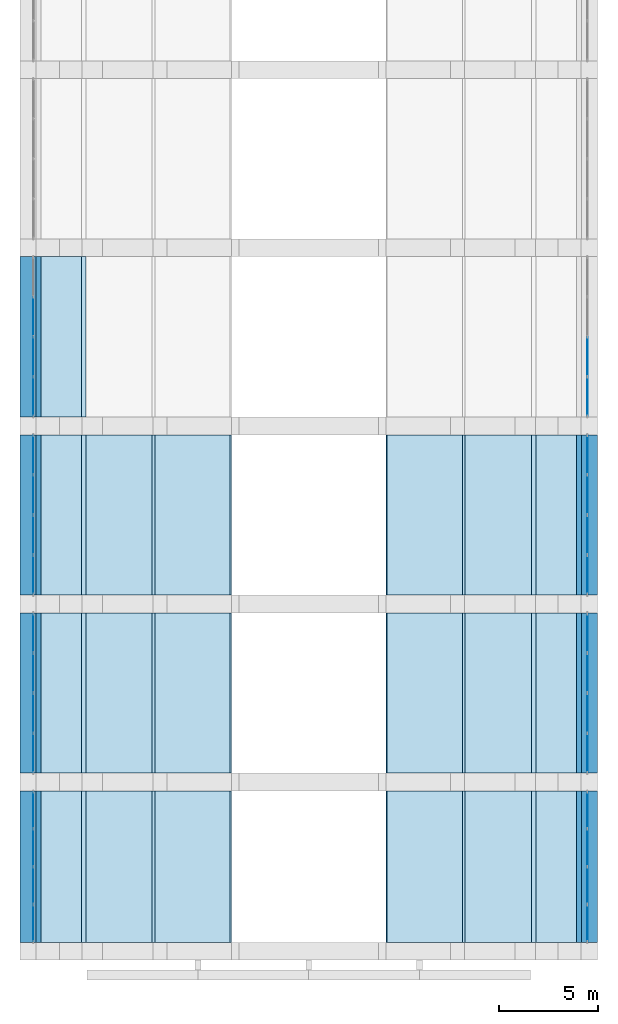
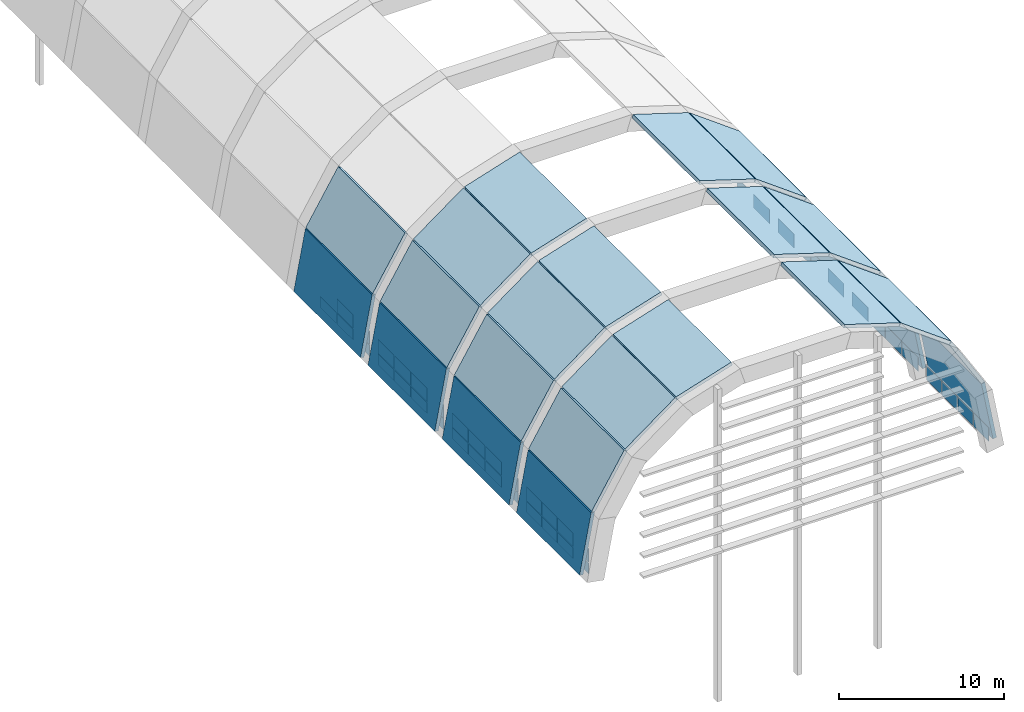
# One storey, part 6 of 8: 43 plates, 26 slabs, 8 elements without a shape of their own.
"""IFC4 building model written with IfcOpenShell, lengths in metres."""

from ifc_helpers import new_model, si_unit, direction, frame, origin, origin_2d, place, context, subcontext, project, spatial, polyline, rectangle, outline, extrude, material, layer, layer_set, type_object, element, aggregate, save


model = new_model("IFC4")

# Units and contexts
model_context = context("Model", 3, precision=1e-05, world=origin(), true_north=direction((0.0, 1.0)))
body_context = subcontext(model_context, "Body", "Model", "MODEL_VIEW")
ifc_project = project(units=[si_unit("LENGTHUNIT", "METRE"), si_unit("AREAUNIT", "SQUARE_METRE"), si_unit("VOLUMEUNIT", "CUBIC_METRE"), si_unit("PLANEANGLEUNIT", "RADIAN"), si_unit("MASSUNIT", "GRAM", prefix="KILO")], contexts=[model_context])

# Site, building, storey
site_placement = place(None, origin())
site = spatial("IfcSite", under=ifc_project, at=site_placement, CompositionType="ELEMENT")
building_placement = place(site_placement, origin())
building = spatial("IfcBuilding", under=site, at=building_placement, Name="Elmora Arch Market Hall", CompositionType="ELEMENT")
storey_placement = place(building_placement, frame((0.0, 0.0, 18.60009765625)))
storey = spatial("IfcBuildingStorey", under=building, at=storey_placement, Name="Roof", CompositionType="ELEMENT", Elevation=18.60009765625)

# Curtain wall, plates
ifc_material_1 = material(Name="Aluminium", Category="aluminium")
curtain_wall_type = type_object("IfcCurtainWallType", Name="Clerestory curtain wall", PredefinedType="NOTDEFINED", material=ifc_material_1)
curtain_wall_1_placement = place(storey_placement, origin())
curtain_wall_1 = element("IfcCurtainWall", 1, at=curtain_wall_1_placement, inside=storey, type_object=curtain_wall_type, Name="Hall clerestory W 1", PredefinedType="NOTDEFINED")
ifc_material_2 = material(Name="Glass", Category="glass")
ifc_layer_1 = layer(ifc_material_2, 0.02392578125)
ifc_layer_set_1 = layer_set([ifc_layer_1], Name="Glass")
plate_type = type_object("IfcPlateType", Name="Glass panel 24", PredefinedType="CURTAIN_PANEL", material=ifc_layer_set_1)
plate_1_placement = place(storey_placement, frame((15.080078125, 28.871337890625, 0.059814453125), z_axis=(0.0, 0.0, 1.0), x_axis=(0.0, 1.0, 0.0)))
plate_1 = element("IfcPlate", 2, at=plate_1_placement, type_object=plate_type, Name="CW4 panel 1.1", PredefinedType="CURTAIN_PANEL", context=body_context, shape_type="SweptSolid", body=[
    extrude(rectangle(XDim=1.822509765625, YDim=0.02392578125, at=origin_2d()), origin(), (0.0, 0.0, 1.0), 0.81005859375),
])
plate_2_placement = place(storey_placement, frame((15.080078125, 28.871337890625, 0.9296875), z_axis=(0.0, 0.0, 1.0), x_axis=(0.0, 1.0, 0.0)))
plate_2 = element("IfcPlate", 3, at=plate_2_placement, type_object=plate_type, Name="CW4 panel 1.2", PredefinedType="CURTAIN_PANEL", context=body_context, shape_type="SweptSolid", body=[
    extrude(rectangle(XDim=1.822509765625, YDim=0.02392578125, at=origin_2d()), origin(), (0.0, 0.0, 1.0), 1.009033203125),
])
plate_3_placement = place(storey_placement, frame((15.080078125, 30.768798828125, 0.059814453125), z_axis=(0.0, 0.0, 1.0), x_axis=(0.0, 1.0, 0.0)))
plate_3 = element("IfcPlate", 4, at=plate_3_placement, type_object=plate_type, Name="CW4 panel 2.1", PredefinedType="CURTAIN_PANEL", context=body_context, shape_type="SweptSolid", body=[
    extrude(rectangle(XDim=1.8525390625, YDim=0.02392578125, at=origin_2d()), origin(), (0.0, 0.0, 1.0), 0.81005859375),
])
plate_4_placement = place(storey_placement, frame((15.080078125, 30.768798828125, 0.9296875), z_axis=(0.0, 0.0, 1.0), x_axis=(0.0, 1.0, 0.0)))
plate_4 = element("IfcPlate", 5, at=plate_4_placement, type_object=plate_type, Name="CW4 panel 2.2", PredefinedType="CURTAIN_PANEL", context=body_context, shape_type="SweptSolid", body=[
    extrude(rectangle(XDim=1.8525390625, YDim=0.02392578125, at=origin_2d()), origin(), (0.0, 0.0, 1.0), 1.009033203125),
])
plate_5_placement = place(storey_placement, frame((15.080078125, 32.68115234375, 0.059814453125), z_axis=(0.0, 0.0, 1.0), x_axis=(0.0, 1.0, 0.0)))
plate_5 = element("IfcPlate", 6, at=plate_5_placement, type_object=plate_type, Name="CW4 panel 3.1", PredefinedType="CURTAIN_PANEL", context=body_context, shape_type="SweptSolid", body=[
    extrude(rectangle(XDim=1.8525390625, YDim=0.02392578125, at=origin_2d()), origin(), (0.0, 0.0, 1.0), 0.81005859375),
])
plate_6_placement = place(storey_placement, frame((15.080078125, 32.68115234375, 0.9296875), z_axis=(0.0, 0.0, 1.0), x_axis=(0.0, 1.0, 0.0)))
plate_6 = element("IfcPlate", 7, at=plate_6_placement, type_object=plate_type, Name="CW4 panel 3.2", PredefinedType="CURTAIN_PANEL", context=body_context, shape_type="SweptSolid", body=[
    extrude(rectangle(XDim=1.8525390625, YDim=0.02392578125, at=origin_2d()), origin(), (0.0, 0.0, 1.0), 1.009033203125),
])
plate_7_placement = place(storey_placement, frame((15.080078125, 34.578857421875, 0.059814453125), z_axis=(0.0, 0.0, 1.0), x_axis=(0.0, 1.0, 0.0)))
plate_7 = element("IfcPlate", 8, at=plate_7_placement, type_object=plate_type, Name="CW4 panel 4.1", PredefinedType="CURTAIN_PANEL", context=body_context, shape_type="SweptSolid", body=[
    extrude(rectangle(XDim=1.822509765625, YDim=0.02392578125, at=origin_2d()), origin(), (0.0, 0.0, 1.0), 0.81005859375),
])
plate_8_placement = place(storey_placement, frame((15.080078125, 34.578857421875, 0.9296875), z_axis=(0.0, 0.0, 1.0), x_axis=(0.0, 1.0, 0.0)))
plate_8 = element("IfcPlate", 9, at=plate_8_placement, type_object=plate_type, Name="CW4 panel 4.2", PredefinedType="CURTAIN_PANEL", context=body_context, shape_type="SweptSolid", body=[
    extrude(rectangle(XDim=1.822509765625, YDim=0.02392578125, at=origin_2d()), origin(), (0.0, 0.0, 1.0), 1.009033203125),
])
aggregate(curtain_wall_1, [plate_1, plate_2, plate_3, plate_4, plate_5, plate_6, plate_7, plate_8])

curtain_wall_2_placement = place(storey_placement, origin())
curtain_wall_2 = element("IfcCurtainWall", 10, at=curtain_wall_2_placement, inside=storey, type_object=curtain_wall_type, Name="Hall clerestory W 2", PredefinedType="NOTDEFINED")
plate_9_placement = place(storey_placement, frame((15.080078125, 37.4775390625, 0.059814453125), z_axis=(0.0, 0.0, 1.0), x_axis=(0.0, 1.0, 0.0)))
plate_9 = element("IfcPlate", 11, at=plate_9_placement, type_object=plate_type, Name="CW4 panel 1.1", PredefinedType="CURTAIN_PANEL", context=body_context, shape_type="SweptSolid", body=[
    extrude(rectangle(XDim=1.93505859375, YDim=0.02392578125, at=origin_2d()), origin(), (0.0, 0.0, 1.0), 0.81005859375),
])
plate_10_placement = place(storey_placement, frame((15.080078125, 37.4775390625, 0.9296875), z_axis=(0.0, 0.0, 1.0), x_axis=(0.0, 1.0, 0.0)))
plate_10 = element("IfcPlate", 12, at=plate_10_placement, type_object=plate_type, Name="CW4 panel 1.2", PredefinedType="CURTAIN_PANEL", context=body_context, shape_type="SweptSolid", body=[
    extrude(rectangle(XDim=1.93505859375, YDim=0.02392578125, at=origin_2d()), origin(), (0.0, 0.0, 1.0), 1.009033203125),
])
plate_11_placement = place(storey_placement, frame((15.080078125, 39.487548828125, 0.059814453125), z_axis=(0.0, 0.0, 1.0), x_axis=(0.0, 1.0, 0.0)))
plate_11 = element("IfcPlate", 13, at=plate_11_placement, type_object=plate_type, Name="CW4 panel 2.1", PredefinedType="CURTAIN_PANEL", context=body_context, shape_type="SweptSolid", body=[
    extrude(rectangle(XDim=1.965087890625, YDim=0.02392578125, at=origin_2d()), origin(), (0.0, 0.0, 1.0), 0.81005859375),
])
plate_12_placement = place(storey_placement, frame((15.080078125, 39.487548828125, 0.9296875), z_axis=(0.0, 0.0, 1.0), x_axis=(0.0, 1.0, 0.0)))
plate_12 = element("IfcPlate", 14, at=plate_12_placement, type_object=plate_type, Name="CW4 panel 2.2", PredefinedType="CURTAIN_PANEL", context=body_context, shape_type="SweptSolid", body=[
    extrude(rectangle(XDim=1.965087890625, YDim=0.02392578125, at=origin_2d()), origin(), (0.0, 0.0, 1.0), 1.009033203125),
])
plate_13_placement = place(storey_placement, frame((15.080078125, 41.512451171875, 0.059814453125), z_axis=(0.0, 0.0, 1.0), x_axis=(0.0, 1.0, 0.0)))
plate_13 = element("IfcPlate", 15, at=plate_13_placement, type_object=plate_type, Name="CW4 panel 3.1", PredefinedType="CURTAIN_PANEL", context=body_context, shape_type="SweptSolid", body=[
    extrude(rectangle(XDim=1.965087890625, YDim=0.02392578125, at=origin_2d()), origin(), (0.0, 0.0, 1.0), 0.81005859375),
])
plate_14_placement = place(storey_placement, frame((15.080078125, 41.512451171875, 0.9296875), z_axis=(0.0, 0.0, 1.0), x_axis=(0.0, 1.0, 0.0)))
plate_14 = element("IfcPlate", 16, at=plate_14_placement, type_object=plate_type, Name="CW4 panel 3.2", PredefinedType="CURTAIN_PANEL", context=body_context, shape_type="SweptSolid", body=[
    extrude(rectangle(XDim=1.965087890625, YDim=0.02392578125, at=origin_2d()), origin(), (0.0, 0.0, 1.0), 1.009033203125),
])
plate_15_placement = place(storey_placement, frame((15.080078125, 43.5224609375, 0.059814453125), z_axis=(0.0, 0.0, 1.0), x_axis=(0.0, 1.0, 0.0)))
plate_15 = element("IfcPlate", 17, at=plate_15_placement, type_object=plate_type, Name="CW4 panel 4.1", PredefinedType="CURTAIN_PANEL", context=body_context, shape_type="SweptSolid", body=[
    extrude(rectangle(XDim=1.93505859375, YDim=0.02392578125, at=origin_2d()), origin(), (0.0, 0.0, 1.0), 0.81005859375),
])
plate_16_placement = place(storey_placement, frame((15.080078125, 43.5224609375, 0.9296875), z_axis=(0.0, 0.0, 1.0), x_axis=(0.0, 1.0, 0.0)))
plate_16 = element("IfcPlate", 18, at=plate_16_placement, type_object=plate_type, Name="CW4 panel 4.2", PredefinedType="CURTAIN_PANEL", context=body_context, shape_type="SweptSolid", body=[
    extrude(rectangle(XDim=1.93505859375, YDim=0.02392578125, at=origin_2d()), origin(), (0.0, 0.0, 1.0), 1.009033203125),
])
aggregate(curtain_wall_2, [plate_9, plate_10, plate_11, plate_12, plate_13, plate_14, plate_15, plate_16])

curtain_wall_3_placement = place(storey_placement, origin())
curtain_wall_3 = element("IfcCurtainWall", 19, at=curtain_wall_3_placement, inside=storey, type_object=curtain_wall_type, Name="Hall clerestory W 3", PredefinedType="NOTDEFINED")
plate_17_placement = place(storey_placement, frame((15.080078125, 46.4775390625, 0.059814453125), z_axis=(0.0, 0.0, 1.0), x_axis=(0.0, 1.0, 0.0)))
plate_17 = element("IfcPlate", 20, at=plate_17_placement, type_object=plate_type, Name="CW4 panel 1.1", PredefinedType="CURTAIN_PANEL", context=body_context, shape_type="SweptSolid", body=[
    extrude(rectangle(XDim=1.93505859375, YDim=0.02392578125, at=origin_2d()), origin(), (0.0, 0.0, 1.0), 0.81005859375),
])
plate_18_placement = place(storey_placement, frame((15.080078125, 46.4775390625, 0.9296875), z_axis=(0.0, 0.0, 1.0), x_axis=(0.0, 1.0, 0.0)))
plate_18 = element("IfcPlate", 21, at=plate_18_placement, type_object=plate_type, Name="CW4 panel 1.2", PredefinedType="CURTAIN_PANEL", context=body_context, shape_type="SweptSolid", body=[
    extrude(rectangle(XDim=1.93505859375, YDim=0.02392578125, at=origin_2d()), origin(), (0.0, 0.0, 1.0), 1.009033203125),
])
plate_19_placement = place(storey_placement, frame((15.080078125, 48.487548828125, 0.059814453125), z_axis=(0.0, 0.0, 1.0), x_axis=(0.0, 1.0, 0.0)))
plate_19 = element("IfcPlate", 22, at=plate_19_placement, type_object=plate_type, Name="CW4 panel 2.1", PredefinedType="CURTAIN_PANEL", context=body_context, shape_type="SweptSolid", body=[
    extrude(rectangle(XDim=1.965087890625, YDim=0.02392578125, at=origin_2d()), origin(), (0.0, 0.0, 1.0), 0.81005859375),
])
plate_20_placement = place(storey_placement, frame((15.080078125, 48.487548828125, 0.9296875), z_axis=(0.0, 0.0, 1.0), x_axis=(0.0, 1.0, 0.0)))
plate_20 = element("IfcPlate", 23, at=plate_20_placement, type_object=plate_type, Name="CW4 panel 2.2", PredefinedType="CURTAIN_PANEL", context=body_context, shape_type="SweptSolid", body=[
    extrude(rectangle(XDim=1.965087890625, YDim=0.02392578125, at=origin_2d()), origin(), (0.0, 0.0, 1.0), 1.009033203125),
])
plate_21_placement = place(storey_placement, frame((15.080078125, 50.512451171875, 0.059814453125), z_axis=(0.0, 0.0, 1.0), x_axis=(0.0, 1.0, 0.0)))
plate_21 = element("IfcPlate", 24, at=plate_21_placement, type_object=plate_type, Name="CW4 panel 3.1", PredefinedType="CURTAIN_PANEL", context=body_context, shape_type="SweptSolid", body=[
    extrude(rectangle(XDim=1.965087890625, YDim=0.02392578125, at=origin_2d()), origin(), (0.0, 0.0, 1.0), 0.81005859375),
])
plate_22_placement = place(storey_placement, frame((15.080078125, 50.512451171875, 0.9296875), z_axis=(0.0, 0.0, 1.0), x_axis=(0.0, 1.0, 0.0)))
plate_22 = element("IfcPlate", 25, at=plate_22_placement, type_object=plate_type, Name="CW4 panel 3.2", PredefinedType="CURTAIN_PANEL", context=body_context, shape_type="SweptSolid", body=[
    extrude(rectangle(XDim=1.965087890625, YDim=0.02392578125, at=origin_2d()), origin(), (0.0, 0.0, 1.0), 1.009033203125),
])
plate_23_placement = place(storey_placement, frame((15.080078125, 52.5224609375, 0.059814453125), z_axis=(0.0, 0.0, 1.0), x_axis=(0.0, 1.0, 0.0)))
plate_23 = element("IfcPlate", 26, at=plate_23_placement, type_object=plate_type, Name="CW4 panel 4.1", PredefinedType="CURTAIN_PANEL", context=body_context, shape_type="SweptSolid", body=[
    extrude(rectangle(XDim=1.93505859375, YDim=0.02392578125, at=origin_2d()), origin(), (0.0, 0.0, 1.0), 0.81005859375),
])
plate_24_placement = place(storey_placement, frame((15.080078125, 52.5224609375, 0.9296875), z_axis=(0.0, 0.0, 1.0), x_axis=(0.0, 1.0, 0.0)))
plate_24 = element("IfcPlate", 27, at=plate_24_placement, type_object=plate_type, Name="CW4 panel 4.2", PredefinedType="CURTAIN_PANEL", context=body_context, shape_type="SweptSolid", body=[
    extrude(rectangle(XDim=1.93505859375, YDim=0.02392578125, at=origin_2d()), origin(), (0.0, 0.0, 1.0), 1.009033203125),
])
aggregate(curtain_wall_3, [plate_17, plate_18, plate_19, plate_20, plate_21, plate_22, plate_23, plate_24])

curtain_wall_4_placement = place(storey_placement, origin())
curtain_wall_4 = element("IfcCurtainWall", 28, at=curtain_wall_4_placement, inside=storey, type_object=curtain_wall_type, Name="Hall clerestory W 4", PredefinedType="NOTDEFINED")
plate_25_placement = place(storey_placement, frame((15.080078125, 55.4775390625, 0.059814453125), z_axis=(0.0, 0.0, 1.0), x_axis=(0.0, 1.0, 0.0)))
plate_25 = element("IfcPlate", 29, at=plate_25_placement, type_object=plate_type, Name="CW4 panel 1.1", PredefinedType="CURTAIN_PANEL", context=body_context, shape_type="SweptSolid", body=[
    extrude(rectangle(XDim=1.93505859375, YDim=0.02392578125, at=origin_2d()), origin(), (0.0, 0.0, 1.0), 0.81005859375),
])
plate_26_placement = place(storey_placement, frame((15.080078125, 55.4775390625, 0.9296875), z_axis=(0.0, 0.0, 1.0), x_axis=(0.0, 1.0, 0.0)))
plate_26 = element("IfcPlate", 30, at=plate_26_placement, type_object=plate_type, Name="CW4 panel 1.2", PredefinedType="CURTAIN_PANEL", context=body_context, shape_type="SweptSolid", body=[
    extrude(rectangle(XDim=1.93505859375, YDim=0.02392578125, at=origin_2d()), origin(), (0.0, 0.0, 1.0), 1.009033203125),
])
plate_27_placement = place(storey_placement, frame((15.080078125, 57.487548828125, 0.059814453125), z_axis=(0.0, 0.0, 1.0), x_axis=(0.0, 1.0, 0.0)))
plate_27 = element("IfcPlate", 31, at=plate_27_placement, type_object=plate_type, Name="CW4 panel 2.1", PredefinedType="CURTAIN_PANEL", context=body_context, shape_type="SweptSolid", body=[
    extrude(rectangle(XDim=1.965087890625, YDim=0.02392578125, at=origin_2d()), origin(), (0.0, 0.0, 1.0), 0.81005859375),
])
plate_28_placement = place(storey_placement, frame((15.080078125, 57.487548828125, 0.9296875), z_axis=(0.0, 0.0, 1.0), x_axis=(0.0, 1.0, 0.0)))
plate_28 = element("IfcPlate", 32, at=plate_28_placement, type_object=plate_type, Name="CW4 panel 2.2", PredefinedType="CURTAIN_PANEL", context=body_context, shape_type="SweptSolid", body=[
    extrude(rectangle(XDim=1.965087890625, YDim=0.02392578125, at=origin_2d()), origin(), (0.0, 0.0, 1.0), 1.009033203125),
])
plate_29_placement = place(storey_placement, frame((15.080078125, 59.512451171875, 0.059814453125), z_axis=(0.0, 0.0, 1.0), x_axis=(0.0, 1.0, 0.0)))
plate_29 = element("IfcPlate", 33, at=plate_29_placement, type_object=plate_type, Name="CW4 panel 3.1", PredefinedType="CURTAIN_PANEL", context=body_context, shape_type="SweptSolid", body=[
    extrude(rectangle(XDim=1.965087890625, YDim=0.02392578125, at=origin_2d()), origin(), (0.0, 0.0, 1.0), 0.81005859375),
])
aggregate(curtain_wall_4, [plate_25, plate_26, plate_27, plate_28, plate_29])

curtain_wall_5_placement = place(storey_placement, origin())
curtain_wall_5 = element("IfcCurtainWall", 34, at=curtain_wall_5_placement, inside=storey, type_object=curtain_wall_type, Name="Hall clerestory E 1", PredefinedType="NOTDEFINED")
plate_30_placement = place(storey_placement, frame((43.080078125, 28.871337890625, 0.059814453125), z_axis=(0.0, 0.0, 1.0), x_axis=(0.0, 1.0, 0.0)))
plate_30 = element("IfcPlate", 35, at=plate_30_placement, type_object=plate_type, Name="CW4 panel 1.1", PredefinedType="CURTAIN_PANEL", context=body_context, shape_type="SweptSolid", body=[
    extrude(rectangle(XDim=1.822509765625, YDim=0.02392578125, at=origin_2d()), origin(), (0.0, 0.0, 1.0), 1.02099609375),
])
plate_31_placement = place(storey_placement, frame((43.080078125, 30.768798828125, 0.059814453125), z_axis=(0.0, 0.0, 1.0), x_axis=(0.0, 1.0, 0.0)))
plate_31 = element("IfcPlate", 36, at=plate_31_placement, type_object=plate_type, Name="CW4 panel 2.1", PredefinedType="CURTAIN_PANEL", context=body_context, shape_type="SweptSolid", body=[
    extrude(rectangle(XDim=1.8525390625, YDim=0.02392578125, at=origin_2d()), origin(), (0.0, 0.0, 1.0), 1.02099609375),
])
plate_32_placement = place(storey_placement, frame((43.080078125, 32.68115234375, 0.059814453125), z_axis=(0.0, 0.0, 1.0), x_axis=(0.0, 1.0, 0.0)))
plate_32 = element("IfcPlate", 37, at=plate_32_placement, type_object=plate_type, Name="CW4 panel 3.1", PredefinedType="CURTAIN_PANEL", context=body_context, shape_type="SweptSolid", body=[
    extrude(rectangle(XDim=1.8525390625, YDim=0.02392578125, at=origin_2d()), origin(), (0.0, 0.0, 1.0), 1.02099609375),
])
plate_33_placement = place(storey_placement, frame((43.080078125, 34.578857421875, 0.059814453125), z_axis=(0.0, 0.0, 1.0), x_axis=(0.0, 1.0, 0.0)))
plate_33 = element("IfcPlate", 38, at=plate_33_placement, type_object=plate_type, Name="CW4 panel 4.1", PredefinedType="CURTAIN_PANEL", context=body_context, shape_type="SweptSolid", body=[
    extrude(rectangle(XDim=1.822509765625, YDim=0.02392578125, at=origin_2d()), origin(), (0.0, 0.0, 1.0), 1.02099609375),
])
aggregate(curtain_wall_5, [plate_30, plate_31, plate_32, plate_33])

curtain_wall_6_placement = place(storey_placement, origin())
curtain_wall_6 = element("IfcCurtainWall", 39, at=curtain_wall_6_placement, inside=storey, type_object=curtain_wall_type, Name="Hall clerestory E 2", PredefinedType="NOTDEFINED")
plate_34_placement = place(storey_placement, frame((43.080078125, 37.4775390625, 0.059814453125), z_axis=(0.0, 0.0, 1.0), x_axis=(0.0, 1.0, 0.0)))
plate_34 = element("IfcPlate", 40, at=plate_34_placement, type_object=plate_type, Name="CW4 panel 1.1", PredefinedType="CURTAIN_PANEL", context=body_context, shape_type="SweptSolid", body=[
    extrude(rectangle(XDim=1.93505859375, YDim=0.02392578125, at=origin_2d()), origin(), (0.0, 0.0, 1.0), 1.02099609375),
])
plate_35_placement = place(storey_placement, frame((43.080078125, 39.487548828125, 0.059814453125), z_axis=(0.0, 0.0, 1.0), x_axis=(0.0, 1.0, 0.0)))
plate_35 = element("IfcPlate", 41, at=plate_35_placement, type_object=plate_type, Name="CW4 panel 2.1", PredefinedType="CURTAIN_PANEL", context=body_context, shape_type="SweptSolid", body=[
    extrude(rectangle(XDim=1.965087890625, YDim=0.02392578125, at=origin_2d()), origin(), (0.0, 0.0, 1.0), 1.02099609375),
])
plate_36_placement = place(storey_placement, frame((43.080078125, 41.512451171875, 0.059814453125), z_axis=(0.0, 0.0, 1.0), x_axis=(0.0, 1.0, 0.0)))
plate_36 = element("IfcPlate", 42, at=plate_36_placement, type_object=plate_type, Name="CW4 panel 3.1", PredefinedType="CURTAIN_PANEL", context=body_context, shape_type="SweptSolid", body=[
    extrude(rectangle(XDim=1.965087890625, YDim=0.02392578125, at=origin_2d()), origin(), (0.0, 0.0, 1.0), 1.02099609375),
])
plate_37_placement = place(storey_placement, frame((43.080078125, 43.5224609375, 0.059814453125), z_axis=(0.0, 0.0, 1.0), x_axis=(0.0, 1.0, 0.0)))
plate_37 = element("IfcPlate", 43, at=plate_37_placement, type_object=plate_type, Name="CW4 panel 4.1", PredefinedType="CURTAIN_PANEL", context=body_context, shape_type="SweptSolid", body=[
    extrude(rectangle(XDim=1.93505859375, YDim=0.02392578125, at=origin_2d()), origin(), (0.0, 0.0, 1.0), 1.02099609375),
])
aggregate(curtain_wall_6, [plate_34, plate_35, plate_36, plate_37])

curtain_wall_7_placement = place(storey_placement, origin())
curtain_wall_7 = element("IfcCurtainWall", 44, at=curtain_wall_7_placement, inside=storey, type_object=curtain_wall_type, Name="Hall clerestory E 3", PredefinedType="NOTDEFINED")
plate_38_placement = place(storey_placement, frame((43.080078125, 46.4775390625, 0.059814453125), z_axis=(0.0, 0.0, 1.0), x_axis=(0.0, 1.0, 0.0)))
plate_38 = element("IfcPlate", 45, at=plate_38_placement, type_object=plate_type, Name="CW4 panel 1.1", PredefinedType="CURTAIN_PANEL", context=body_context, shape_type="SweptSolid", body=[
    extrude(rectangle(XDim=1.93505859375, YDim=0.02392578125, at=origin_2d()), origin(), (0.0, 0.0, 1.0), 1.02099609375),
])
plate_39_placement = place(storey_placement, frame((43.080078125, 48.487548828125, 0.059814453125), z_axis=(0.0, 0.0, 1.0), x_axis=(0.0, 1.0, 0.0)))
plate_39 = element("IfcPlate", 46, at=plate_39_placement, type_object=plate_type, Name="CW4 panel 2.1", PredefinedType="CURTAIN_PANEL", context=body_context, shape_type="SweptSolid", body=[
    extrude(rectangle(XDim=1.965087890625, YDim=0.02392578125, at=origin_2d()), origin(), (0.0, 0.0, 1.0), 1.02099609375),
])
plate_40_placement = place(storey_placement, frame((43.080078125, 50.512451171875, 0.059814453125), z_axis=(0.0, 0.0, 1.0), x_axis=(0.0, 1.0, 0.0)))
plate_40 = element("IfcPlate", 47, at=plate_40_placement, type_object=plate_type, Name="CW4 panel 3.1", PredefinedType="CURTAIN_PANEL", context=body_context, shape_type="SweptSolid", body=[
    extrude(rectangle(XDim=1.965087890625, YDim=0.02392578125, at=origin_2d()), origin(), (0.0, 0.0, 1.0), 1.02099609375),
])
plate_41_placement = place(storey_placement, frame((43.080078125, 52.5224609375, 0.059814453125), z_axis=(0.0, 0.0, 1.0), x_axis=(0.0, 1.0, 0.0)))
plate_41 = element("IfcPlate", 48, at=plate_41_placement, type_object=plate_type, Name="CW4 panel 4.1", PredefinedType="CURTAIN_PANEL", context=body_context, shape_type="SweptSolid", body=[
    extrude(rectangle(XDim=1.93505859375, YDim=0.02392578125, at=origin_2d()), origin(), (0.0, 0.0, 1.0), 1.02099609375),
])
aggregate(curtain_wall_7, [plate_38, plate_39, plate_40, plate_41])

curtain_wall_8_placement = place(storey_placement, origin())
curtain_wall_8 = element("IfcCurtainWall", 49, at=curtain_wall_8_placement, inside=storey, type_object=curtain_wall_type, Name="Hall clerestory E 4", PredefinedType="NOTDEFINED")
plate_42_placement = place(storey_placement, frame((43.080078125, 55.4775390625, 0.059814453125), z_axis=(0.0, 0.0, 1.0), x_axis=(0.0, 1.0, 0.0)))
plate_42 = element("IfcPlate", 50, at=plate_42_placement, type_object=plate_type, Name="CW4 panel 1.1", PredefinedType="CURTAIN_PANEL", context=body_context, shape_type="SweptSolid", body=[
    extrude(rectangle(XDim=1.93505859375, YDim=0.02392578125, at=origin_2d()), origin(), (0.0, 0.0, 1.0), 1.02099609375),
])
plate_43_placement = place(storey_placement, frame((43.080078125, 57.487548828125, 0.059814453125), z_axis=(0.0, 0.0, 1.0), x_axis=(0.0, 1.0, 0.0)))
plate_43 = element("IfcPlate", 51, at=plate_43_placement, type_object=plate_type, Name="CW4 panel 2.1", PredefinedType="CURTAIN_PANEL", context=body_context, shape_type="SweptSolid", body=[
    extrude(rectangle(XDim=1.965087890625, YDim=0.02392578125, at=origin_2d()), origin(), (0.0, 0.0, 1.0), 1.02099609375),
])
aggregate(curtain_wall_8, [plate_42, plate_43])

# Slabs
ifc_material_3 = material(Name="Concrete C40/50", Category="concrete")
ifc_layer_2 = layer(ifc_material_3, 0.25)
ifc_layer_set_2 = layer_set([ifc_layer_2], Name="Concrete C40/50")
slab_type = type_object("IfcSlabType", Name="Hall roof panel", PredefinedType="ROOF", material=ifc_layer_set_2)
slab_1_placement = place(storey_placement, frame((14.41015625, 27.89990234375, 0.219970703125), z_axis=(-0.983054574067, 0.0, 0.183313132117), x_axis=(0.0, 1.0, 0.0)))
element("IfcSlab", 52, at=slab_1_placement, inside=storey, type_object=slab_type, Name="Roof panel 1 W1", PredefinedType="ROOF", context=body_context, shape_type="SweptSolid", body=[
    extrude(outline(polyline([(0.0, 0.0), (7.650146484375, 0.0), (7.650146484375, -4.428311102166089), (0.0, -4.428311102166089), (0.0, 0.0)])), origin(), (0.0, 0.0, -1.0), 0.25),
])
slab_2_placement = place(storey_placement, frame((15.25439453125, 27.89990234375, 4.65771484375), z_axis=(-0.853287379882, 0.0, 0.521440933696), x_axis=(0.0, 1.0, 0.0)))
element("IfcSlab", 53, at=slab_2_placement, inside=storey, type_object=slab_type, Name="Roof panel 1 W2", PredefinedType="ROOF", context=body_context, shape_type="SweptSolid", body=[
    extrude(outline(polyline([(0.0, 0.0), (7.650146484375, 0.0), (7.650146484375, -4.35242249570463), (0.0, -4.35242249570463), (0.0, 0.0)])), origin(), (0.0, 0.0, -1.0), 0.25),
])
slab_3_placement = place(storey_placement, frame((17.589111328125, 27.89990234375, 8.442626953125), z_axis=(-0.59236150089, 0.0, 0.805672298309), x_axis=(0.0, 1.0, 0.0)))
element("IfcSlab", 54, at=slab_3_placement, inside=storey, type_object=slab_type, Name="Roof panel 1 W3", PredefinedType="ROOF", context=body_context, shape_type="SweptSolid", body=[
    extrude(outline(polyline([(0.0, 0.0), (7.650146484375, 0.0), (7.650146484375, -4.346925261019755), (0.0, -4.346925261019755), (0.0, 0.0)])), origin(), (0.0, 0.0, -1.0), 0.25),
])
for number, where, z_axis, x_axis, name in (
    (55, (21.1640625, 27.89990234375, 11.0546875), (-0.301111204758, 0.0, 0.953589032219), (0.0, 1.0, 0.0), "Roof panel 1 W4"),
    (56, (32.9677734375, 27.89990234375, 12.276123046875), (0.301111204758, 0.0, 0.953589032219), (0.0, 1.0, 0.0), "Roof panel 1 E4"),
):
    element("IfcSlab", number, at=place(storey_placement, frame(where, z_axis=z_axis, x_axis=x_axis)), inside=storey, type_object=slab_type, Name=name, PredefinedType="ROOF", context=body_context, shape_type="SweptSolid", body=[
        extrude(outline(polyline([(0.0, 0.0), (7.650146484375, 0.0), (7.650146484375, -4.056426753879125), (0.0, -4.056426753879125), (0.0, 0.0)])), origin(), (0.0, 0.0, -1.0), 0.25),
    ])
slab_4_placement = place(storey_placement, frame((36.90869140625, 27.89990234375, 11.017578125), z_axis=(0.59236150089, 0.0, 0.805672298309), x_axis=(0.0, 1.0, 0.0)))
element("IfcSlab", 57, at=slab_4_placement, inside=storey, type_object=slab_type, Name="Roof panel 1 E3", PredefinedType="ROOF", context=body_context, shape_type="SweptSolid", body=[
    extrude(outline(polyline([(0.0, 0.0), (7.650146484375, 0.0), (7.650146484375, -4.346925261019755), (0.0, -4.346925261019755), (0.0, 0.0)])), origin(), (0.0, 0.0, -1.0), 0.25),
])
slab_5_placement = place(storey_placement, frame((40.47607421875, 27.89990234375, 8.37158203125), z_axis=(0.853287379882, 0.0, 0.521440933696), x_axis=(0.0, 1.0, 0.0)))
element("IfcSlab", 58, at=slab_5_placement, inside=storey, type_object=slab_type, Name="Roof panel 1 E2", PredefinedType="ROOF", context=body_context, shape_type="SweptSolid", body=[
    extrude(outline(polyline([(0.0, 0.0), (7.650146484375, 0.0), (7.650146484375, -4.35242249570463), (0.0, -4.35242249570463), (0.0, 0.0)])), origin(), (0.0, 0.0, -1.0), 0.25),
])
slab_6_placement = place(storey_placement, frame((42.778076171875, 27.89990234375, 4.5732421875), z_axis=(0.983054574067, 0.0, 0.183313132117), x_axis=(0.0, 1.0, 0.0)))
element("IfcSlab", 59, at=slab_6_placement, inside=storey, type_object=slab_type, Name="Roof panel 1 E1", PredefinedType="ROOF", context=body_context, shape_type="SweptSolid", body=[
    extrude(outline(polyline([(0.0, 0.0), (7.650146484375, 0.0), (7.650146484375, -4.428311102166089), (0.0, -4.428311102166089), (0.0, 0.0)])), origin(), (0.0, 0.0, -1.0), 0.25),
])
slab_7_placement = place(storey_placement, frame((14.41015625, 36.449951171875, 0.219970703125), z_axis=(-0.983054574067, 0.0, 0.183313132117), x_axis=(0.0, 1.0, 0.0)))
element("IfcSlab", 60, at=slab_7_placement, inside=storey, type_object=slab_type, Name="Roof panel 2 W1", PredefinedType="ROOF", context=body_context, shape_type="SweptSolid", body=[
    extrude(outline(polyline([(0.0, 0.0), (8.10009765625, 0.0), (8.10009765625, -4.428311102166089), (0.0, -4.428311102166089), (0.0, 0.0)])), origin(), (0.0, 0.0, -1.0), 0.25),
])
slab_8_placement = place(storey_placement, frame((15.25439453125, 36.449951171875, 4.65771484375), z_axis=(-0.853287379882, 0.0, 0.521440933696), x_axis=(0.0, 1.0, 0.0)))
element("IfcSlab", 61, at=slab_8_placement, inside=storey, type_object=slab_type, Name="Roof panel 2 W2", PredefinedType="ROOF", context=body_context, shape_type="SweptSolid", body=[
    extrude(outline(polyline([(0.0, 0.0), (8.10009765625, 0.0), (8.10009765625, -4.35242249570463), (0.0, -4.35242249570463), (0.0, 0.0)])), origin(), (0.0, 0.0, -1.0), 0.25),
])
slab_9_placement = place(storey_placement, frame((17.589111328125, 36.449951171875, 8.442626953125), z_axis=(-0.59236150089, 0.0, 0.805672298309), x_axis=(0.0, 1.0, 0.0)))
element("IfcSlab", 62, at=slab_9_placement, inside=storey, type_object=slab_type, Name="Roof panel 2 W3", PredefinedType="ROOF", context=body_context, shape_type="SweptSolid", body=[
    extrude(outline(polyline([(0.0, 0.0), (8.10009765625, 0.0), (8.10009765625, -4.346925261019755), (0.0, -4.346925261019755), (0.0, 0.0)])), origin(), (0.0, 0.0, -1.0), 0.25),
])
for number, where, z_axis, x_axis, name in (
    (63, (21.1640625, 36.449951171875, 11.0546875), (-0.301111204758, 0.0, 0.953589032219), (0.0, 1.0, 0.0), "Roof panel 2 W4"),
    (64, (32.9677734375, 36.449951171875, 12.276123046875), (0.301111204758, 0.0, 0.953589032219), (0.0, 1.0, 0.0), "Roof panel 2 E4"),
):
    element("IfcSlab", number, at=place(storey_placement, frame(where, z_axis=z_axis, x_axis=x_axis)), inside=storey, type_object=slab_type, Name=name, PredefinedType="ROOF", context=body_context, shape_type="SweptSolid", body=[
        extrude(outline(polyline([(0.0, 0.0), (8.10009765625, 0.0), (8.10009765625, -4.0564267538791245), (0.0, -4.0564267538791245), (0.0, 0.0)])), origin(), (0.0, 0.0, -1.0), 0.25),
    ])
slab_10_placement = place(storey_placement, frame((36.90869140625, 36.449951171875, 11.017578125), z_axis=(0.59236150089, 0.0, 0.805672298309), x_axis=(0.0, 1.0, 0.0)))
element("IfcSlab", 65, at=slab_10_placement, inside=storey, type_object=slab_type, Name="Roof panel 2 E3", PredefinedType="ROOF", context=body_context, shape_type="SweptSolid", body=[
    extrude(outline(polyline([(0.0, 0.0), (8.10009765625, 0.0), (8.10009765625, -4.346925261019755), (0.0, -4.346925261019755), (0.0, 0.0)])), origin(), (0.0, 0.0, -1.0), 0.25),
])
slab_11_placement = place(storey_placement, frame((40.47607421875, 36.449951171875, 8.37158203125), z_axis=(0.853287379882, 0.0, 0.521440933696), x_axis=(0.0, 1.0, 0.0)))
element("IfcSlab", 66, at=slab_11_placement, inside=storey, type_object=slab_type, Name="Roof panel 2 E2", PredefinedType="ROOF", context=body_context, shape_type="SweptSolid", body=[
    extrude(outline(polyline([(0.0, 0.0), (8.10009765625, 0.0), (8.10009765625, -4.35242249570463), (0.0, -4.35242249570463), (0.0, 0.0)])), origin(), (0.0, 0.0, -1.0), 0.25),
])
for number, where, z_axis, x_axis, name in (
    (67, (42.778076171875, 36.449951171875, 4.5732421875), (0.983054574067, 0.0, 0.183313132117), (0.0, 1.0, 0.0), "Roof panel 2 E1"),
    (68, (14.41015625, 45.449951171875, 0.219970703125), (-0.983054574067, 0.0, 0.183313132117), (0.0, 1.0, 0.0), "Roof panel 3 W1"),
):
    element("IfcSlab", number, at=place(storey_placement, frame(where, z_axis=z_axis, x_axis=x_axis)), inside=storey, type_object=slab_type, Name=name, PredefinedType="ROOF", context=body_context, shape_type="SweptSolid", body=[
        extrude(outline(polyline([(0.0, 0.0), (8.10009765625, 0.0), (8.10009765625, -4.428311102166089), (0.0, -4.428311102166089), (0.0, 0.0)])), origin(), (0.0, 0.0, -1.0), 0.25),
    ])
slab_12_placement = place(storey_placement, frame((15.25439453125, 45.449951171875, 4.65771484375), z_axis=(-0.853287379882, 0.0, 0.521440933696), x_axis=(0.0, 1.0, 0.0)))
element("IfcSlab", 69, at=slab_12_placement, inside=storey, type_object=slab_type, Name="Roof panel 3 W2", PredefinedType="ROOF", context=body_context, shape_type="SweptSolid", body=[
    extrude(outline(polyline([(0.0, 0.0), (8.10009765625, 0.0), (8.10009765625, -4.35242249570463), (0.0, -4.35242249570463), (0.0, 0.0)])), origin(), (0.0, 0.0, -1.0), 0.25),
])
slab_13_placement = place(storey_placement, frame((17.589111328125, 45.449951171875, 8.442626953125), z_axis=(-0.59236150089, 0.0, 0.805672298309), x_axis=(0.0, 1.0, 0.0)))
element("IfcSlab", 70, at=slab_13_placement, inside=storey, type_object=slab_type, Name="Roof panel 3 W3", PredefinedType="ROOF", context=body_context, shape_type="SweptSolid", body=[
    extrude(outline(polyline([(0.0, 0.0), (8.10009765625, 0.0), (8.10009765625, -4.346925261019755), (0.0, -4.346925261019755), (0.0, 0.0)])), origin(), (0.0, 0.0, -1.0), 0.25),
])
for number, where, z_axis, x_axis, name in (
    (71, (21.1640625, 45.449951171875, 11.0546875), (-0.301111204758, 0.0, 0.953589032219), (0.0, 1.0, 0.0), "Roof panel 3 W4"),
    (72, (32.9677734375, 45.449951171875, 12.276123046875), (0.301111204758, 0.0, 0.953589032219), (0.0, 1.0, 0.0), "Roof panel 3 E4"),
):
    element("IfcSlab", number, at=place(storey_placement, frame(where, z_axis=z_axis, x_axis=x_axis)), inside=storey, type_object=slab_type, Name=name, PredefinedType="ROOF", context=body_context, shape_type="SweptSolid", body=[
        extrude(outline(polyline([(0.0, 0.0), (8.10009765625, 0.0), (8.10009765625, -4.0564267538791245), (0.0, -4.0564267538791245), (0.0, 0.0)])), origin(), (0.0, 0.0, -1.0), 0.25),
    ])
slab_14_placement = place(storey_placement, frame((36.90869140625, 45.449951171875, 11.017578125), z_axis=(0.59236150089, 0.0, 0.805672298309), x_axis=(0.0, 1.0, 0.0)))
element("IfcSlab", 73, at=slab_14_placement, inside=storey, type_object=slab_type, Name="Roof panel 3 E3", PredefinedType="ROOF", context=body_context, shape_type="SweptSolid", body=[
    extrude(outline(polyline([(0.0, 0.0), (8.10009765625, 0.0), (8.10009765625, -4.346925261019755), (0.0, -4.346925261019755), (0.0, 0.0)])), origin(), (0.0, 0.0, -1.0), 0.25),
])
slab_15_placement = place(storey_placement, frame((40.47607421875, 45.449951171875, 8.37158203125), z_axis=(0.853287379882, 0.0, 0.521440933696), x_axis=(0.0, 1.0, 0.0)))
element("IfcSlab", 74, at=slab_15_placement, inside=storey, type_object=slab_type, Name="Roof panel 3 E2", PredefinedType="ROOF", context=body_context, shape_type="SweptSolid", body=[
    extrude(outline(polyline([(0.0, 0.0), (8.10009765625, 0.0), (8.10009765625, -4.35242249570463), (0.0, -4.35242249570463), (0.0, 0.0)])), origin(), (0.0, 0.0, -1.0), 0.25),
])
for number, where, z_axis, x_axis, name in (
    (75, (42.778076171875, 45.449951171875, 4.5732421875), (0.983054574067, 0.0, 0.183313132117), (0.0, 1.0, 0.0), "Roof panel 3 E1"),
    (76, (14.41015625, 54.449951171875, 0.219970703125), (-0.983054574067, 0.0, 0.183313132117), (0.0, 1.0, 0.0), "Roof panel 4 W1"),
):
    element("IfcSlab", number, at=place(storey_placement, frame(where, z_axis=z_axis, x_axis=x_axis)), inside=storey, type_object=slab_type, Name=name, PredefinedType="ROOF", context=body_context, shape_type="SweptSolid", body=[
        extrude(outline(polyline([(0.0, 0.0), (8.10009765625, 0.0), (8.10009765625, -4.428311102166089), (0.0, -4.428311102166089), (0.0, 0.0)])), origin(), (0.0, 0.0, -1.0), 0.25),
    ])
slab_16_placement = place(storey_placement, frame((15.25439453125, 54.449951171875, 4.65771484375), z_axis=(-0.853287379882, 0.0, 0.521440933696), x_axis=(0.0, 1.0, 0.0)))
element("IfcSlab", 77, at=slab_16_placement, inside=storey, type_object=slab_type, Name="Roof panel 4 W2", PredefinedType="ROOF", context=body_context, shape_type="SweptSolid", body=[
    extrude(outline(polyline([(0.0, 0.0), (8.10009765625, 0.0), (8.10009765625, -4.35242249570463), (0.0, -4.35242249570463), (0.0, 0.0)])), origin(), (0.0, 0.0, -1.0), 0.25),
])

save(model, "model.ifc")
